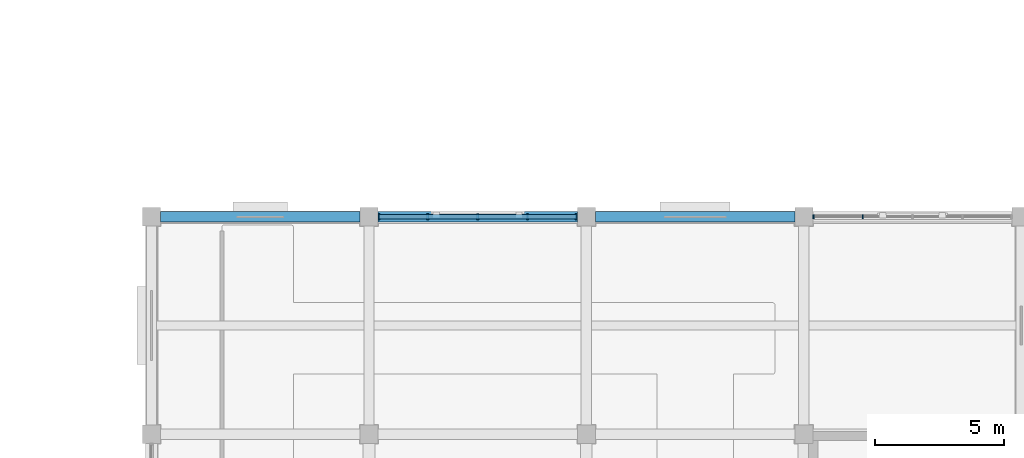
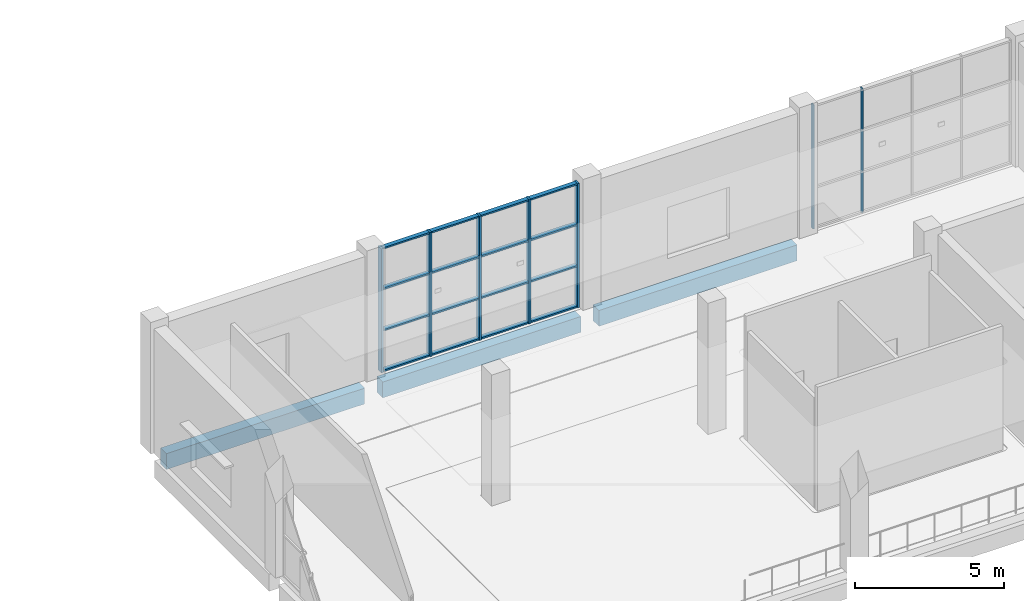
# One storey, part 32 of 72: 11 members, 3 beams, 2 elements without a shape of their own.
"""IFC4 building model written with IfcOpenShell, lengths in metres."""

import ifcopenshell
import ifcopenshell.guid

model = None  # the IFC model being written
_history = None  # IfcOwnerHistory: only IFC2X3 demands one
_inside = {}  # id of a spatial element -> (the spatial element, [elements in it])
_under = {}  # id of a project, library or spatial element -> (it, [spatial elements below it])
_declared = {}  # id of a project -> (the project, [libraries it declares])
_typed = {}  # id of a type object -> (the type object, [elements of that type])
_made_of = {}  # id of a material, layer set ... -> (it, [elements and type objects made of it])


def new_model(schema):
    """Start an empty IFC model of exactly this schema.

    Asked for "IFC4X3", IfcOpenShell would pick the latest addendum, in which some entities
    have other attributes; the version numbers below select the first issue.
    IFC2X3 requires an IfcOwnerHistory on every rooted entity: one is made here for all.
    """
    global model, _history
    if schema == "IFC4X3":
        model = ifcopenshell.file(schema_version=(4, 3, 0, 0))
    else:
        model = ifcopenshell.file(schema=schema)
    _inside.clear()
    _under.clear()
    _declared.clear()
    _typed.clear()
    _made_of.clear()
    _history = None
    if model.schema == "IFC2X3":
        org = make("IfcOrganization", Name="unknown")
        user = make(
            "IfcPersonAndOrganization",
            ThePerson=make("IfcPerson", FamilyName="unknown"),
            TheOrganization=org,
        )
        app = make(
            "IfcApplication",
            ApplicationDeveloper=org,
            Version="unknown",
            ApplicationFullName="unknown",
            ApplicationIdentifier="unknown",
        )
        _history = make(
            "IfcOwnerHistory",
            OwningUser=user,
            OwningApplication=app,
            ChangeAction="ADDED",
            CreationDate=0,
        )
    return model


def make(cls, **values):
    """One entity of the class cls with the attributes given. An attribute that is None is left unset."""
    return model.create_entity(
        cls, **{name: value for name, value in values.items() if value is not None}
    )


def rooted(cls, **values):
    """An entity with a GlobalId (a new one), such as an element, a storey or a relation."""
    return make(cls, GlobalId=ifcopenshell.guid.new(), OwnerHistory=_history, **values)


def si_unit(unit_type, name, prefix=None):
    """IfcSIUnit, for example si_unit("LENGTHUNIT", "METRE", prefix="MILLI")."""
    return make("IfcSIUnit", UnitType=unit_type, Prefix=prefix, Name=name)


def assignment(units):
    """IfcUnitAssignment: the units of a project."""
    return None if units is None else make("IfcUnitAssignment", Units=units)


def point(xyz):
    """IfcCartesianPoint."""
    return None if xyz is None else make("IfcCartesianPoint", Coordinates=xyz)


def direction(xyz):
    """IfcDirection."""
    return None if xyz is None else make("IfcDirection", DirectionRatios=xyz)


def frame(location, z_axis=None, x_axis=None):
    """IfcAxis2Placement3D, a coordinate frame: its origin and axes. An axis left out is left unset."""
    return make(
        "IfcAxis2Placement3D",
        Location=point(location),
        Axis=direction(z_axis),
        RefDirection=direction(x_axis),
    )


def frame_2d(location, x_axis=None):
    """IfcAxis2Placement2D, a coordinate frame in the plane: its origin and x axis."""
    return make(
        "IfcAxis2Placement2D", Location=point(location), RefDirection=direction(x_axis)
    )


def origin():
    """The frame at (0, 0, 0) with its axes left unset."""
    return frame((0.0, 0.0, 0.0))


def origin_2d():
    """The frame at (0, 0) in the plane with its x axis left unset."""
    return frame_2d((0.0, 0.0))


def place(relative_to, where):
    """IfcLocalPlacement: puts the frame where relative to a parent placement (None: the world)."""
    return make(
        "IfcLocalPlacement", PlacementRelTo=relative_to, RelativePlacement=where
    )


def context(
    kind, dimensions, precision=None, world=None, true_north=None, identifier=None
):
    """IfcGeometricRepresentationContext, for example the 3D "Model" context."""
    return make(
        "IfcGeometricRepresentationContext",
        ContextIdentifier=identifier,
        ContextType=kind,
        CoordinateSpaceDimension=dimensions,
        Precision=precision,
        WorldCoordinateSystem=world,
        TrueNorth=true_north,
    )


def subcontext(parent, identifier, kind, view, scale=None):
    """IfcGeometricRepresentationSubContext, for example "Body" below "Model"."""
    return make(
        "IfcGeometricRepresentationSubContext",
        ContextIdentifier=identifier,
        ContextType=kind,
        ParentContext=parent,
        TargetScale=scale,
        TargetView=view,
    )


def project(units=None, contexts=None):
    """IfcProject with its units and contexts."""
    return rooted(
        "IfcProject",
        Name="project",
        RepresentationContexts=contexts,
        UnitsInContext=assignment(units),
    )


def spatial(cls, under=None, at=None, **own):
    """A site, building, storey or space (cls), placed at a placement, below another one or the project."""
    s = rooted(cls, ObjectPlacement=at, **own)
    if under is not None:
        _under.setdefault(under.id(), (under, []))[1].append(s)
    return s


def profile(cls, at=None, kind="AREA", **sizes):
    """A parametric profile (cls). Its sizes go by their IFC names, for example OverallWidth=200.0."""
    return make(cls, ProfileType=kind, Position=at, **sizes)


def rectangle(**sizes):
    """IfcRectangleProfileDef."""
    return profile("IfcRectangleProfileDef", **sizes)


def extrude(swept, where, along, depth):
    """IfcExtrudedAreaSolid: the profile swept, set in the frame where, extruded along a direction by depth."""
    return make(
        "IfcExtrudedAreaSolid",
        SweptArea=swept,
        Position=where,
        ExtrudedDirection=direction(along),
        Depth=depth,
    )


def shape(context_of_items, identifier, shape_type, items):
    """IfcShapeRepresentation: the items that make up one representation, for example the "Body"."""
    return make(
        "IfcShapeRepresentation",
        ContextOfItems=context_of_items,
        RepresentationIdentifier=identifier,
        RepresentationType=shape_type,
        Items=items,
    )


def material(Name=None, Category=None):
    """IfcMaterial."""
    return make("IfcMaterial", Name=Name, Category=Category)


def material_profile(
    of_material, cross_section, Name=None, Category=None, Priority=None
):
    """IfcMaterialProfile: a cross section and its material."""
    return make(
        "IfcMaterialProfile",
        Name=Name,
        Material=of_material,
        Profile=cross_section,
        Priority=Priority,
        Category=Category,
    )


def profile_set(profiles, Name=None, composite=None):
    """IfcMaterialProfileSet."""
    return make(
        "IfcMaterialProfileSet",
        Name=Name,
        MaterialProfiles=profiles,
        CompositeProfile=composite,
    )


def made_of(thing, what):
    """Note that an element or type object is made of a material, layer set ...; save() writes the relation."""
    if what is not None:
        _made_of.setdefault(what.id(), (what, []))[1].append(thing)
    return thing


def type_object(cls, material=None, **own):
    """A type object (cls), such as IfcWallType, which elements share."""
    return made_of(rooted(cls, **own), material)


def element(
    cls,
    number,
    at=None,
    inside=None,
    cuts=None,
    type_object=None,
    material=None,
    context=None,
    identifier="Body",
    shape_type=None,
    held_by="IfcProductDefinitionShape",
    body=None,
    shapes=None,
    **own,
):
    """One element of the class cls, such as IfcWall. Its Tag is "e" and its number.

    at: its placement. inside: the storey or other place that contains it. cuts: it is an
    opening in that element (IfcRelVoidsElement). A single representation is given by context,
    identifier, shape_type and body (its items); several are given by shapes. held_by: the class
    of the entity that holds the representations. save() writes the other relations.
    """
    e = rooted(cls, Tag="e%d" % number, ObjectPlacement=at, **own)
    if body is not None:
        shapes = [shape(context, identifier, shape_type, body)]
    if shapes is not None:
        e.Representation = make(held_by, Representations=shapes)
    if inside is not None:
        _inside.setdefault(inside.id(), (inside, []))[1].append(e)
    if cuts is not None:
        rooted(
            "IfcRelVoidsElement", RelatingBuildingElement=cuts, RelatedOpeningElement=e
        )
    if type_object is not None:
        _typed.setdefault(type_object.id(), (type_object, []))[1].append(e)
    return made_of(e, material)


def aggregate(whole, parts):
    """IfcRelAggregates: a whole, such as a stair, and the parts it consists of."""
    return rooted("IfcRelAggregates", RelatingObject=whole, RelatedObjects=parts)


def save(model, path):
    """Write the relations noted so far, then the file.

    IfcRelAggregates (storeys below a building ...), IfcRelContainedInSpatialStructure (elements
    in a storey), IfcRelDefinesByType, IfcRelAssociatesMaterial and IfcRelDeclares: one each for
    every whole, place, type object, material and project.
    """
    for whole, parts in _under.values():
        aggregate(whole, parts)
    for where, things in _inside.values():
        rooted(
            "IfcRelContainedInSpatialStructure",
            RelatedElements=things,
            RelatingStructure=where,
        )
    for kind, things in _typed.values():
        rooted("IfcRelDefinesByType", RelatedObjects=things, RelatingType=kind)
    for what, things in _made_of.values():
        rooted("IfcRelAssociatesMaterial", RelatedObjects=things, RelatingMaterial=what)
    for by, libraries in _declared.values():
        rooted("IfcRelDeclares", RelatingContext=by, RelatedDefinitions=libraries)
    model.write(path)


model = new_model("IFC4")

# Units and contexts
model_context = context("Model", 3, precision=1e-05, world=origin(), true_north=direction((0.0, 1.0)))
body_context = subcontext(model_context, "Body", "Model", "MODEL_VIEW")
ifc_project = project(units=[si_unit("LENGTHUNIT", "METRE"), si_unit("AREAUNIT", "SQUARE_METRE"), si_unit("VOLUMEUNIT", "CUBIC_METRE"), si_unit("PLANEANGLEUNIT", "RADIAN"), si_unit("MASSUNIT", "GRAM", prefix="KILO")], contexts=[model_context])

# Site, building, storey
site_placement = place(None, origin())
site = spatial("IfcSite", under=ifc_project, at=site_placement, CompositionType="ELEMENT")
building_placement = place(site_placement, origin())
building = spatial("IfcBuilding", under=site, at=building_placement, Name="Shalvenor Court Art Gallery", CompositionType="ELEMENT")
storey_placement = place(building_placement, frame((0.0, 0.0, 11.39990234375)))
storey = spatial("IfcBuildingStorey", under=building, at=storey_placement, Name="L02", CompositionType="ELEMENT", Elevation=11.39990234375)

# Beams
ifc_material_1 = material(Name="Concrete C40/50", Category="concrete")
ifc_material_profile_1 = material_profile(ifc_material_1, rectangle(XDim=0.39990234375, YDim=0.64990234375, at=origin_2d()), Name="RC 400x650")
ifc_profile_set_1 = profile_set([ifc_material_profile_1], Name="Concrete C40/50")
beam_type = type_object("IfcBeamType", Name="B-06", PredefinedType="BEAM", material=ifc_profile_set_1)
beam_placement = place(storey_placement, frame((143.14990234375, 97.199951171875, -0.64501953125), z_axis=(1.0, 0.0, 0.0), x_axis=(0.0, 1.0, 0.0)))
element("IfcBeam", 1, at=beam_placement, inside=storey, type_object=beam_type, Name="L02 Girder BM-L02-B-06-0880", PredefinedType="BEAM", context=body_context, shape_type="SweptSolid", body=[
    extrude(rectangle(XDim=0.39990234375, YDim=0.64990234375, at=origin_2d()), origin(), (0.0, 0.0, 1.0), 7.7001953125),
])
for number, where, z_axis, x_axis, name in (
    (2, (151.550048828125, 97.199951171875, -0.64501953125), (1.0, 0.0, 0.0), (0.0, 1.0, 0.0), "L02 Girder BM-L02-B-06-0881"),
    (3, (159.949951171875, 97.199951171875, -0.64501953125), (1.0, 0.0, 0.0), (0.0, 1.0, 0.0), "L02 Girder BM-L02-B-06-0882"),
):
    element("IfcBeam", number, at=place(storey_placement, frame(where, z_axis=z_axis, x_axis=x_axis)), inside=storey, type_object=beam_type, Name=name, PredefinedType="BEAM", context=body_context, shape_type="SweptSolid", body=[
        extrude(rectangle(XDim=0.39990234375, YDim=0.64990234375, at=origin_2d()), origin(), (0.0, 0.0, 1.0), 7.699951171875),
    ])

# Curtain wall, members
ifc_material_2 = material(Name="Anodised aluminium and low-iron glass curtain wall", Category="aluminium")
curtain_wall_type_1 = type_object("IfcCurtainWallType", Name="CW-4x3-77-51-422", PredefinedType="USERDEFINED", material=ifc_material_2)
curtain_wall_1_placement = place(storey_placement, origin())
curtain_wall_1 = element("IfcCurtainWall", 4, at=curtain_wall_1_placement, inside=storey, type_object=curtain_wall_type_1, Name="L02 V1 Curtain Wall CW-L02-010", ObjectType="CURTAIN WALL", PredefinedType="USERDEFINED")
ifc_material_3 = material(Name="Anodised aluminium mullion", Category="aluminium")
ifc_material_profile_2 = material_profile(ifc_material_3, rectangle(XDim=0.074951171875, YDim=0.219970703125, at=origin_2d()), Name="CWM-04")
ifc_profile_set_2 = profile_set([ifc_material_profile_2], Name="Anodised aluminium mullion")
member_type_1 = type_object("IfcMemberType", Name="CWM-04", PredefinedType="MULLION", material=ifc_profile_set_2)
member_1_placement = place(storey_placement, frame((151.58740234375, 97.199951171875, 0.0), z_axis=(0.0, 0.0, 1.0), x_axis=(1.0, 0.0, 0.0)))
member_1 = element("IfcMember", 5, at=member_1_placement, type_object=member_type_1, Name="CW-4x3-77-51-422 mullion 1", PredefinedType="MULLION", context=body_context, shape_type="SweptSolid", body=[
    extrude(rectangle(XDim=0.074951171875, YDim=0.219970703125, at=origin_2d()), origin(), (0.0, 0.0, 1.0), 5.10009765625),
])
member_2_placement = place(storey_placement, frame((153.47509765625, 97.199951171875, 0.0), z_axis=(0.0, 0.0, 1.0), x_axis=(1.0, 0.0, 0.0)))
member_2 = element("IfcMember", 6, at=member_2_placement, type_object=member_type_1, Name="CW-4x3-77-51-422 mullion 2", PredefinedType="MULLION", context=body_context, shape_type="SweptSolid", body=[
    extrude(rectangle(XDim=0.074951171875, YDim=0.219970703125, at=origin_2d()), origin(), (0.0, 0.0, 1.0), 5.10009765625),
])
member_3_placement = place(storey_placement, frame((155.39990234375, 97.199951171875, 0.0), z_axis=(0.0, 0.0, 1.0), x_axis=(1.0, 0.0, 0.0)))
member_3 = element("IfcMember", 7, at=member_3_placement, type_object=member_type_1, Name="CW-4x3-77-51-422 mullion 3", PredefinedType="MULLION", context=body_context, shape_type="SweptSolid", body=[
    extrude(rectangle(XDim=0.074951171875, YDim=0.219970703125, at=origin_2d()), origin(), (0.0, 0.0, 1.0), 5.10009765625),
])
member_4_placement = place(storey_placement, frame((157.324951171875, 97.199951171875, 0.0), z_axis=(0.0, 0.0, 1.0), x_axis=(1.0, 0.0, 0.0)))
member_4 = element("IfcMember", 8, at=member_4_placement, type_object=member_type_1, Name="CW-4x3-77-51-422 mullion 4", PredefinedType="MULLION", context=body_context, shape_type="SweptSolid", body=[
    extrude(rectangle(XDim=0.074951171875, YDim=0.219970703125, at=origin_2d()), origin(), (0.0, 0.0, 1.0), 5.10009765625),
])
member_5_placement = place(storey_placement, frame((159.21240234375, 97.199951171875, 0.0), z_axis=(0.0, 0.0, 1.0), x_axis=(1.0, 0.0, 0.0)))
member_5 = element("IfcMember", 9, at=member_5_placement, type_object=member_type_1, Name="CW-4x3-77-51-422 mullion 5", PredefinedType="MULLION", context=body_context, shape_type="SweptSolid", body=[
    extrude(rectangle(XDim=0.074951171875, YDim=0.219970703125, at=origin_2d()), origin(), (0.0, 0.0, 1.0), 5.10009765625),
])

ifc_material_4 = material(Name="Anodised aluminium and low-iron glass curtain wall", Category="aluminium")
curtain_wall_type_2 = type_object("IfcCurtainWallType", Name="CW-4x3-77-51-642", PredefinedType="USERDEFINED", material=ifc_material_4)
curtain_wall_2_placement = place(storey_placement, origin())
curtain_wall_2 = element("IfcCurtainWall", 10, at=curtain_wall_2_placement, inside=storey, type_object=curtain_wall_type_2, Name="L02 V1 Curtain Wall CW-L02-011", ObjectType="CURTAIN WALL", PredefinedType="USERDEFINED")
ifc_material_5 = material(Name="Anodised aluminium mullion", Category="aluminium")
ifc_material_profile_3 = material_profile(ifc_material_5, rectangle(XDim=0.054931640625, YDim=0.139892578125, at=origin_2d()), Name="CWM-06")
ifc_profile_set_3 = profile_set([ifc_material_profile_3], Name="Anodised aluminium mullion")
member_type_2 = type_object("IfcMemberType", Name="CWM-06", PredefinedType="MULLION", material=ifc_profile_set_3)
member_6_placement = place(storey_placement, frame((168.37744140625, 97.199951171875, 0.0), z_axis=(0.0, 0.0, 1.0), x_axis=(1.0, 0.0, 0.0)))
member_6 = element("IfcMember", 11, at=member_6_placement, type_object=member_type_2, Name="CW-4x3-77-51-642 mullion 1", PredefinedType="MULLION", context=body_context, shape_type="SweptSolid", body=[
    extrude(rectangle(XDim=0.054931640625, YDim=0.139892578125, at=origin_2d()), origin(), (0.0, 0.0, 1.0), 5.10009765625),
])
member_7_placement = place(storey_placement, frame((170.27490234375, 97.199951171875, 0.0), z_axis=(0.0, 0.0, 1.0), x_axis=(1.0, 0.0, 0.0)))
member_7 = element("IfcMember", 12, at=member_7_placement, type_object=member_type_2, Name="CW-4x3-77-51-642 mullion 2", PredefinedType="MULLION", context=body_context, shape_type="SweptSolid", body=[
    extrude(rectangle(XDim=0.054931640625, YDim=0.139892578125, at=origin_2d()), origin(), (0.0, 0.0, 1.0), 5.10009765625),
])
aggregate(curtain_wall_2, [member_6, member_7])

# Member
ifc_material_6 = material(Name="Anodised aluminium transom", Category="aluminium")
ifc_material_profile_4 = material_profile(ifc_material_6, rectangle(XDim=0.169921875, YDim=0.06494140625, at=origin_2d()), Name="CWT-02")
ifc_profile_set_4 = profile_set([ifc_material_profile_4], Name="Anodised aluminium transom")
member_type_3 = type_object("IfcMemberType", Name="CWT-02", PredefinedType="USERDEFINED", material=ifc_profile_set_4)
member_8_placement = place(storey_placement, frame((151.58740234375, 97.199951171875, 0.03271484375), z_axis=(1.0, 0.0, 0.0), x_axis=(0.0, 1.0, 0.0)))
member_8 = element("IfcMember", 13, at=member_8_placement, type_object=member_type_3, Name="CW-4x3-77-51-422 transom 1", ObjectType="TRANSOM", PredefinedType="USERDEFINED", context=body_context, shape_type="SweptSolid", body=[
    extrude(rectangle(XDim=0.169921875, YDim=0.06494140625, at=origin_2d()), origin(), (0.0, 0.0, 1.0), 7.625),
])

member_9_placement = place(storey_placement, frame((151.58740234375, 97.199951171875, 1.7001953125), z_axis=(1.0, 0.0, 0.0), x_axis=(0.0, 1.0, 0.0)))
member_9 = element("IfcMember", 14, at=member_9_placement, type_object=member_type_3, Name="CW-4x3-77-51-422 transom 2", ObjectType="TRANSOM", PredefinedType="USERDEFINED", context=body_context, shape_type="SweptSolid", body=[
    extrude(rectangle(XDim=0.169921875, YDim=0.06494140625, at=origin_2d()), origin(), (0.0, 0.0, 1.0), 7.625),
])

member_10_placement = place(storey_placement, frame((151.58740234375, 97.199951171875, 3.400146484375), z_axis=(1.0, 0.0, 0.0), x_axis=(0.0, 1.0, 0.0)))
member_10 = element("IfcMember", 15, at=member_10_placement, type_object=member_type_3, Name="CW-4x3-77-51-422 transom 3", ObjectType="TRANSOM", PredefinedType="USERDEFINED", context=body_context, shape_type="SweptSolid", body=[
    extrude(rectangle(XDim=0.169921875, YDim=0.06494140625, at=origin_2d()), origin(), (0.0, 0.0, 1.0), 7.625),
])

member_11_placement = place(storey_placement, frame((151.58740234375, 97.199951171875, 5.067626953125), z_axis=(1.0, 0.0, 0.0), x_axis=(0.0, 1.0, 0.0)))
member_11 = element("IfcMember", 16, at=member_11_placement, type_object=member_type_3, Name="CW-4x3-77-51-422 transom 4", ObjectType="TRANSOM", PredefinedType="USERDEFINED", context=body_context, shape_type="SweptSolid", body=[
    extrude(rectangle(XDim=0.169921875, YDim=0.06494140625, at=origin_2d()), origin(), (0.0, 0.0, 1.0), 7.625),
])

aggregate(curtain_wall_1, [member_1, member_2, member_3, member_4, member_5, member_8, member_9, member_10, member_11])

save(model, "model.ifc")
